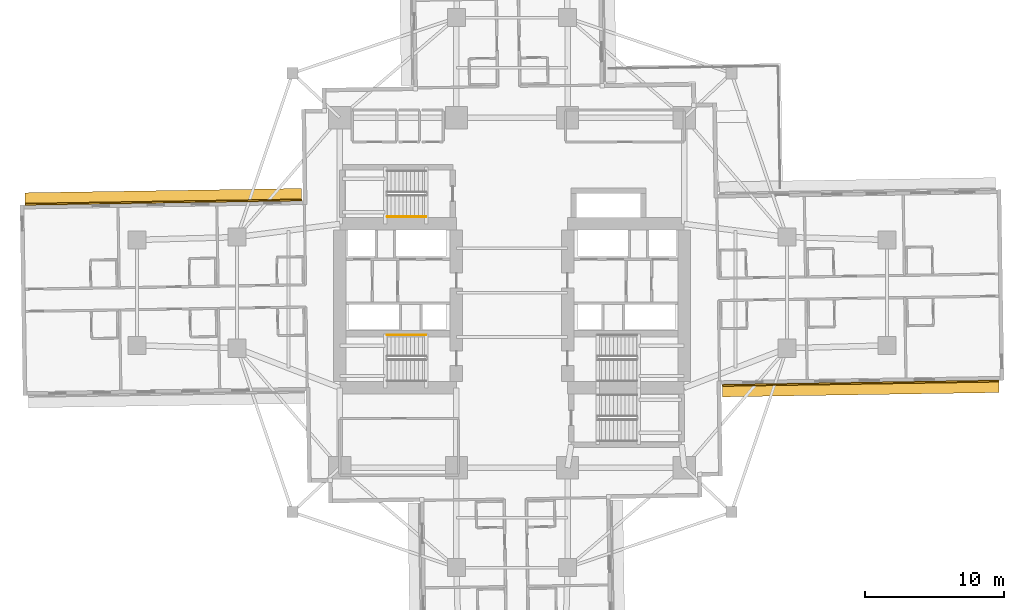
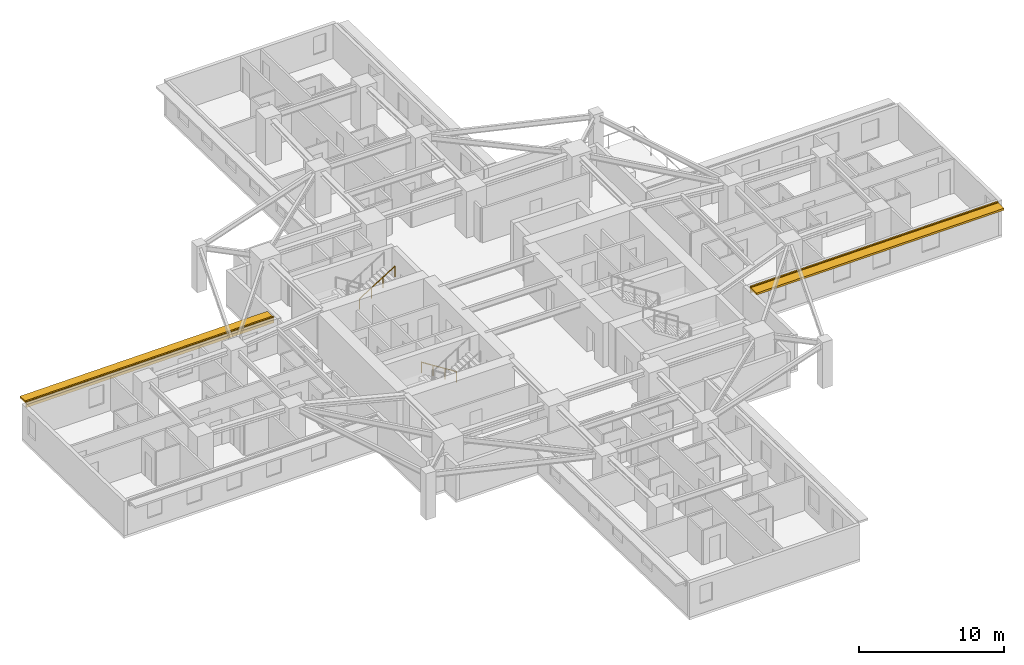
# One storey, part 12 of 14: 2 coverings, 2 railings, 2 shading devices.
"""IFC4 building model written with IfcOpenShell, lengths in metres."""

import ifcopenshell
import ifcopenshell.guid

model = None  # the IFC model being written
_history = None  # IfcOwnerHistory: only IFC2X3 demands one
_inside = {}  # id of a spatial element -> (the spatial element, [elements in it])
_under = {}  # id of a project, library or spatial element -> (it, [spatial elements below it])
_declared = {}  # id of a project -> (the project, [libraries it declares])
_typed = {}  # id of a type object -> (the type object, [elements of that type])
_made_of = {}  # id of a material, layer set ... -> (it, [elements and type objects made of it])


def new_model(schema):
    """Start an empty IFC model of exactly this schema.

    Asked for "IFC4X3", IfcOpenShell would pick the latest addendum, in which some entities
    have other attributes; the version numbers below select the first issue.
    IFC2X3 requires an IfcOwnerHistory on every rooted entity: one is made here for all.
    """
    global model, _history
    if schema == "IFC4X3":
        model = ifcopenshell.file(schema_version=(4, 3, 0, 0))
    else:
        model = ifcopenshell.file(schema=schema)
    _inside.clear()
    _under.clear()
    _declared.clear()
    _typed.clear()
    _made_of.clear()
    _history = None
    if model.schema == "IFC2X3":
        org = make("IfcOrganization", Name="unknown")
        user = make(
            "IfcPersonAndOrganization",
            ThePerson=make("IfcPerson", FamilyName="unknown"),
            TheOrganization=org,
        )
        app = make(
            "IfcApplication",
            ApplicationDeveloper=org,
            Version="unknown",
            ApplicationFullName="unknown",
            ApplicationIdentifier="unknown",
        )
        _history = make(
            "IfcOwnerHistory",
            OwningUser=user,
            OwningApplication=app,
            ChangeAction="ADDED",
            CreationDate=0,
        )
    return model


def make(cls, **values):
    """One entity of the class cls with the attributes given. An attribute that is None is left unset."""
    return model.create_entity(
        cls, **{name: value for name, value in values.items() if value is not None}
    )


def rooted(cls, **values):
    """An entity with a GlobalId (a new one), such as an element, a storey or a relation."""
    return make(cls, GlobalId=ifcopenshell.guid.new(), OwnerHistory=_history, **values)


def si_unit(unit_type, name, prefix=None):
    """IfcSIUnit, for example si_unit("LENGTHUNIT", "METRE", prefix="MILLI")."""
    return make("IfcSIUnit", UnitType=unit_type, Prefix=prefix, Name=name)


def assignment(units):
    """IfcUnitAssignment: the units of a project."""
    return None if units is None else make("IfcUnitAssignment", Units=units)


def point(xyz):
    """IfcCartesianPoint."""
    return None if xyz is None else make("IfcCartesianPoint", Coordinates=xyz)


def direction(xyz):
    """IfcDirection."""
    return None if xyz is None else make("IfcDirection", DirectionRatios=xyz)


def frame(location, z_axis=None, x_axis=None):
    """IfcAxis2Placement3D, a coordinate frame: its origin and axes. An axis left out is left unset."""
    return make(
        "IfcAxis2Placement3D",
        Location=point(location),
        Axis=direction(z_axis),
        RefDirection=direction(x_axis),
    )


def frame_2d(location, x_axis=None):
    """IfcAxis2Placement2D, a coordinate frame in the plane: its origin and x axis."""
    return make(
        "IfcAxis2Placement2D", Location=point(location), RefDirection=direction(x_axis)
    )


def origin():
    """The frame at (0, 0, 0) with its axes left unset."""
    return frame((0.0, 0.0, 0.0))


def origin_2d():
    """The frame at (0, 0) in the plane with its x axis left unset."""
    return frame_2d((0.0, 0.0))


def place(relative_to, where):
    """IfcLocalPlacement: puts the frame where relative to a parent placement (None: the world)."""
    return make(
        "IfcLocalPlacement", PlacementRelTo=relative_to, RelativePlacement=where
    )


def context(
    kind, dimensions, precision=None, world=None, true_north=None, identifier=None
):
    """IfcGeometricRepresentationContext, for example the 3D "Model" context."""
    return make(
        "IfcGeometricRepresentationContext",
        ContextIdentifier=identifier,
        ContextType=kind,
        CoordinateSpaceDimension=dimensions,
        Precision=precision,
        WorldCoordinateSystem=world,
        TrueNorth=true_north,
    )


def subcontext(parent, identifier, kind, view, scale=None):
    """IfcGeometricRepresentationSubContext, for example "Body" below "Model"."""
    return make(
        "IfcGeometricRepresentationSubContext",
        ContextIdentifier=identifier,
        ContextType=kind,
        ParentContext=parent,
        TargetScale=scale,
        TargetView=view,
    )


def project(units=None, contexts=None):
    """IfcProject with its units and contexts."""
    return rooted(
        "IfcProject",
        Name="project",
        RepresentationContexts=contexts,
        UnitsInContext=assignment(units),
    )


def spatial(cls, under=None, at=None, **own):
    """A site, building, storey or space (cls), placed at a placement, below another one or the project."""
    s = rooted(cls, ObjectPlacement=at, **own)
    if under is not None:
        _under.setdefault(under.id(), (under, []))[1].append(s)
    return s


def profile(cls, at=None, kind="AREA", **sizes):
    """A parametric profile (cls). Its sizes go by their IFC names, for example OverallWidth=200.0."""
    return make(cls, ProfileType=kind, Position=at, **sizes)


def rectangle(**sizes):
    """IfcRectangleProfileDef."""
    return profile("IfcRectangleProfileDef", **sizes)


def circle(**sizes):
    """IfcCircleProfileDef."""
    return profile("IfcCircleProfileDef", **sizes)


def extrude(swept, where, along, depth):
    """IfcExtrudedAreaSolid: the profile swept, set in the frame where, extruded along a direction by depth."""
    return make(
        "IfcExtrudedAreaSolid",
        SweptArea=swept,
        Position=where,
        ExtrudedDirection=direction(along),
        Depth=depth,
    )


def shape(context_of_items, identifier, shape_type, items):
    """IfcShapeRepresentation: the items that make up one representation, for example the "Body"."""
    return make(
        "IfcShapeRepresentation",
        ContextOfItems=context_of_items,
        RepresentationIdentifier=identifier,
        RepresentationType=shape_type,
        Items=items,
    )


def material(Name=None, Category=None):
    """IfcMaterial."""
    return make("IfcMaterial", Name=Name, Category=Category)


def layer(
    of_material, thickness, ventilated=None, Name=None, Category=None, Priority=None
):
    """IfcMaterialLayer: one layer of a wall or slab, of a material (None: an air gap)."""
    return make(
        "IfcMaterialLayer",
        Material=of_material,
        LayerThickness=thickness,
        IsVentilated=ventilated,
        Name=Name,
        Category=Category,
        Priority=Priority,
    )


def layer_set(layers, Name=None):
    """IfcMaterialLayerSet."""
    return make("IfcMaterialLayerSet", MaterialLayers=layers, LayerSetName=Name)


def made_of(thing, what):
    """Note that an element or type object is made of a material, layer set ...; save() writes the relation."""
    if what is not None:
        _made_of.setdefault(what.id(), (what, []))[1].append(thing)
    return thing


def type_object(cls, material=None, **own):
    """A type object (cls), such as IfcWallType, which elements share."""
    return made_of(rooted(cls, **own), material)


def element(
    cls,
    number,
    at=None,
    inside=None,
    cuts=None,
    type_object=None,
    material=None,
    context=None,
    identifier="Body",
    shape_type=None,
    held_by="IfcProductDefinitionShape",
    body=None,
    shapes=None,
    **own,
):
    """One element of the class cls, such as IfcWall. Its Tag is "e" and its number.

    at: its placement. inside: the storey or other place that contains it. cuts: it is an
    opening in that element (IfcRelVoidsElement). A single representation is given by context,
    identifier, shape_type and body (its items); several are given by shapes. held_by: the class
    of the entity that holds the representations. save() writes the other relations.
    """
    e = rooted(cls, Tag="e%d" % number, ObjectPlacement=at, **own)
    if body is not None:
        shapes = [shape(context, identifier, shape_type, body)]
    if shapes is not None:
        e.Representation = make(held_by, Representations=shapes)
    if inside is not None:
        _inside.setdefault(inside.id(), (inside, []))[1].append(e)
    if cuts is not None:
        rooted(
            "IfcRelVoidsElement", RelatingBuildingElement=cuts, RelatedOpeningElement=e
        )
    if type_object is not None:
        _typed.setdefault(type_object.id(), (type_object, []))[1].append(e)
    return made_of(e, material)


def aggregate(whole, parts):
    """IfcRelAggregates: a whole, such as a stair, and the parts it consists of."""
    return rooted("IfcRelAggregates", RelatingObject=whole, RelatedObjects=parts)


def save(model, path):
    """Write the relations noted so far, then the file.

    IfcRelAggregates (storeys below a building ...), IfcRelContainedInSpatialStructure (elements
    in a storey), IfcRelDefinesByType, IfcRelAssociatesMaterial and IfcRelDeclares: one each for
    every whole, place, type object, material and project.
    """
    for whole, parts in _under.values():
        aggregate(whole, parts)
    for where, things in _inside.values():
        rooted(
            "IfcRelContainedInSpatialStructure",
            RelatedElements=things,
            RelatingStructure=where,
        )
    for kind, things in _typed.values():
        rooted("IfcRelDefinesByType", RelatedObjects=things, RelatingType=kind)
    for what, things in _made_of.values():
        rooted("IfcRelAssociatesMaterial", RelatedObjects=things, RelatingMaterial=what)
    for by, libraries in _declared.values():
        rooted("IfcRelDeclares", RelatingContext=by, RelatedDefinitions=libraries)
    model.write(path)


model = new_model("IFC4")

# Units and contexts
model_context = context("Model", 3, precision=1e-05, world=origin(), true_north=direction((0.0, 1.0)))
body_context = subcontext(model_context, "Body", "Model", "MODEL_VIEW")
ifc_project = project(units=[si_unit("LENGTHUNIT", "METRE"), si_unit("AREAUNIT", "SQUARE_METRE"), si_unit("VOLUMEUNIT", "CUBIC_METRE"), si_unit("PLANEANGLEUNIT", "RADIAN"), si_unit("MASSUNIT", "GRAM", prefix="KILO")], contexts=[model_context])

# Site, building, storey
site_placement = place(None, origin())
site = spatial("IfcSite", under=ifc_project, at=site_placement, CompositionType="ELEMENT")
building_placement = place(site_placement, origin())
building = spatial("IfcBuilding", under=site, at=building_placement, Name="Qingluan Cross Belvedere", CompositionType="ELEMENT")
storey_placement = place(building_placement, frame((0.0, 0.0, 27.60009765625)))
storey = spatial("IfcBuildingStorey", under=building, at=storey_placement, Name="L07", CompositionType="ELEMENT", Elevation=27.60009765625)

# Coverings
ifc_material_1 = material(Name="Precast concrete C45", Category="concrete")
ifc_layer_1 = layer(ifc_material_1, 0.1201171875, Name="ConcreteSpandrelCladding_120")
ifc_layer_set_1 = layer_set([ifc_layer_1], Name="Precast concrete C45")
covering_type = type_object("IfcCoveringType", Name="ConcreteSpandrelCladding_120", PredefinedType="CLADDING", material=ifc_layer_set_1)
for number, where, z_axis, x_axis, name in (
    (1, (25.095458984375, -6.5166015625, 2.449951171875), (0.0, 0.0, 1.0), (0.999876645576, 0.015706483741, 0.0), "Spandrel cladding L07-EA"),
    (2, (-25.095458984375, 6.5166015625, 2.449951171875), (0.0, 0.0, 1.0), (-0.999876645576, -0.015706483741, 0.0), "Spandrel cladding L07-WA"),
):
    element("IfcCovering", number, at=place(storey_placement, frame(where, z_axis=z_axis, x_axis=x_axis)), inside=storey, type_object=covering_type, Name=name, PredefinedType="CLADDING", context=body_context, shape_type="SweptSolid", body=[
        extrude(rectangle(XDim=19.89990234375, YDim=0.1201171875, at=origin_2d()), origin(), (0.0, 0.0, 1.0), 0.52001953125),
    ])

# Shading devices
ifc_material_2 = material(Name="Precast concrete C45", Category="concrete")
ifc_layer_2 = layer(ifc_material_2, 0.159912109375, Name="ConcreteSunshadeBand_900")
ifc_layer_set_2 = layer_set([ifc_layer_2], Name="Precast concrete C45")
shading_device_type = type_object("IfcShadingDeviceType", Name="ConcreteSunshadeBand_900", PredefinedType="USERDEFINED", material=ifc_layer_set_2)
for number, where, z_axis, x_axis, name in (
    (3, (25.101318359375, -6.896484375, 2.72998046875), (0.0, 0.0, 1.0), (0.999876645576, 0.015706483741, 0.0), "Concrete SUNSHADE L07-EA"),
    (4, (-25.101318359375, 6.896484375, 2.72998046875), (0.0, 0.0, 1.0), (-0.999876645576, -0.015706483741, 0.0), "Concrete SUNSHADE L07-WA"),
):
    element("IfcShadingDevice", number, at=place(storey_placement, frame(where, z_axis=z_axis, x_axis=x_axis)), inside=storey, type_object=shading_device_type, Name=name, ObjectType="SUNSHADE", PredefinedType="USERDEFINED", context=body_context, shape_type="SweptSolid", body=[
        extrude(rectangle(XDim=19.89990234375, YDim=0.89990234375, at=origin_2d()), origin(), (0.0, 0.0, 1.0), 0.159912109375),
    ])

# Railings
ifc_material_3 = material(Name="Brushed stainless steel tubular handrail", Category="steel")
railing_type = type_object("IfcRailingType", Name="StairPitchHandrail_900", PredefinedType="HANDRAIL", material=ifc_material_3)
railing_1_placement = place(storey_placement, frame((-6.179931640625, -3.050048828125, 0.17724609375)))
element("IfcRailing", 5, at=railing_1_placement, inside=storey, type_object=railing_type, Name="L07 ST1 stair handrail 1", PredefinedType="HANDRAIL", context=body_context, shape_type="SweptSolid", body=[
    extrude(circle(Radius=0.02392578125, at=origin_2d()), frame((0.0, 0.0, 0.8759765625), z_axis=(-0.844908973607, 0.0, 0.534910110503), x_axis=(0.0, -1.0, 0.0)), (0.0, 0.0, 1.0), 3.31396484375),
    extrude(circle(Radius=0.02099609375, at=origin_2d()), origin(), (0.0, 0.0, 1.0), 0.851806640625),
    extrude(circle(Radius=0.02099609375, at=origin_2d()), frame((-0.933349609375, 0.0, 0.5908203125)), (0.0, 0.0, 1.0), 0.851806640625),
    extrude(circle(Radius=0.02099609375, at=origin_2d()), frame((-1.86669921875, 0.0, 1.181884765625)), (0.0, 0.0, 1.0), 0.851806640625),
    extrude(circle(Radius=0.02099609375, at=origin_2d()), frame((-2.800048828125, 0.0, 1.772705078125)), (0.0, 0.0, 1.0), 0.851806640625),
])
railing_2_placement = place(storey_placement, frame((-8.97998046875, 5.469970703125, 2.127197265625)))
element("IfcRailing", 6, at=railing_2_placement, inside=storey, type_object=railing_type, Name="L07 ST3 stair handrail 2", PredefinedType="HANDRAIL", context=body_context, shape_type="SweptSolid", body=[
    extrude(circle(Radius=0.02392578125, at=origin_2d()), frame((0.0, 0.0, 0.8759765625), z_axis=(0.844908973607, 0.0, 0.534910110503), x_axis=(0.0, 1.0, 0.0)), (0.0, 0.0, 1.0), 3.31396484375),
    extrude(circle(Radius=0.02099609375, at=origin_2d()), origin(), (0.0, 0.0, 1.0), 0.851806640625),
    extrude(circle(Radius=0.02099609375, at=origin_2d()), frame((0.933349609375, 0.0, 0.5908203125)), (0.0, 0.0, 1.0), 0.851806640625),
    extrude(circle(Radius=0.02099609375, at=origin_2d()), frame((1.86669921875, 0.0, 1.181884765625)), (0.0, 0.0, 1.0), 0.851806640625),
    extrude(circle(Radius=0.02099609375, at=origin_2d()), frame((2.800048828125, 0.0, 1.772705078125)), (0.0, 0.0, 1.0), 0.851806640625),
])

save(model, "model.ifc")
